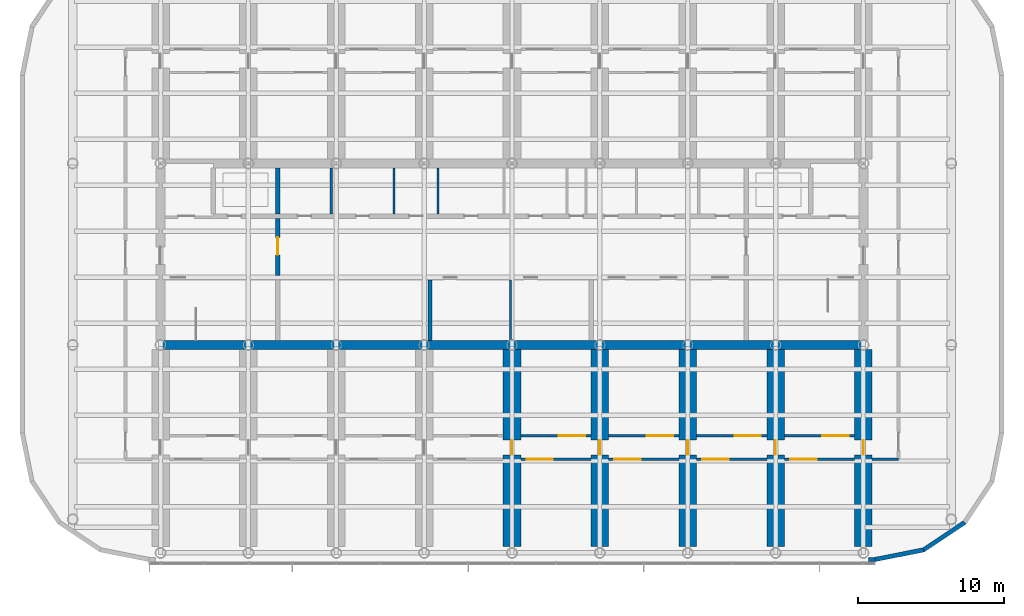
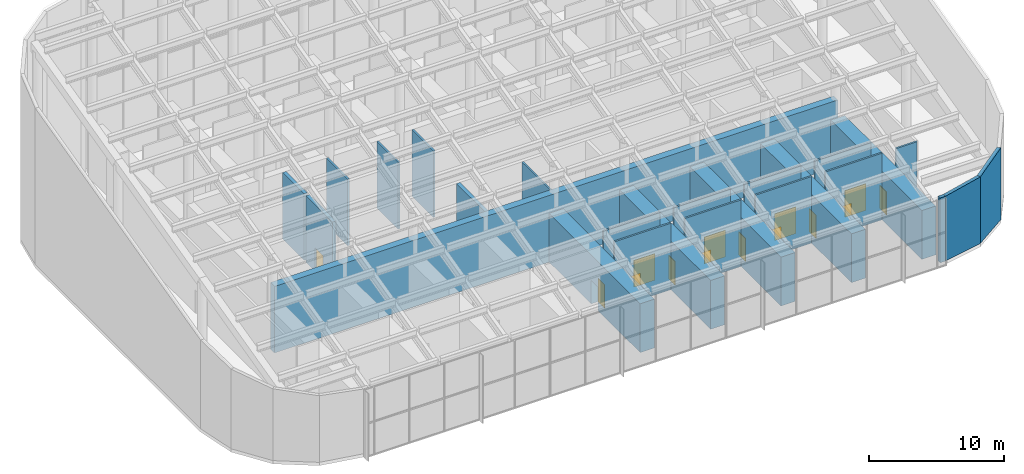
# One storey, part 10 of 14: 25 walls, 14 doors, 14 openings.
"""IFC4 building model written with IfcOpenShell, lengths in metres."""

from ifc_helpers import new_model, si_unit, direction, frame, frame_2d, origin, place, context, subcontext, project, spatial, polyline, rectangle, outline, extrude, clip, halfspace, material, layer, layer_set, type_object, element, fill, save


model = new_model("IFC4")

# Units and contexts
model_context = context("Model", 3, precision=1e-05, world=origin(), true_north=direction((0.0, 1.0)))
body_context = subcontext(model_context, "Body", "Model", "MODEL_VIEW")
ifc_project = project(units=[si_unit("LENGTHUNIT", "METRE"), si_unit("AREAUNIT", "SQUARE_METRE"), si_unit("VOLUMEUNIT", "CUBIC_METRE"), si_unit("PLANEANGLEUNIT", "RADIAN"), si_unit("MASSUNIT", "GRAM", prefix="KILO")], contexts=[model_context])

# Site, building, storey
site_placement = place(None, origin())
site = spatial("IfcSite", under=ifc_project, at=site_placement, CompositionType="ELEMENT")
building_placement = place(site_placement, origin())
building = spatial("IfcBuilding", under=site, at=building_placement, Name="Orbita Commons", CompositionType="ELEMENT")
storey_placement = place(building_placement, frame((0.0, 0.0, 262.300048828125)))
storey = spatial("IfcBuildingStorey", under=building, at=storey_placement, Name="L65", CompositionType="ELEMENT", Elevation=262.300048828125)

# Wall, opening, door
ifc_material_1 = material(Name="Concrete C50/60", Category="concrete")
ifc_layer_1 = layer(ifc_material_1, 0.300048828125)
ifc_layer_set_1 = layer_set([ifc_layer_1], Name="Concrete C50/60")
wall_type_1 = type_object("IfcWallType", Name="Core inner wall 300 C50/60", PredefinedType="SHEAR", material=ifc_layer_set_1)
wall_1_placement = place(storey_placement, frame((26.0, 30.550048828125, 0.0), z_axis=(0.0, 0.0, 1.0), x_axis=(0.0, 1.0, 0.0)))
wall_1 = element("IfcWall", 1, at=wall_1_placement, inside=storey, type_object=wall_type_1, Name="Firefighting lobby wall west L65", PredefinedType="SHEAR", context=body_context, shape_type="SweptSolid", body=[
    extrude(rectangle(XDim=3.89990234375, YDim=0.300048828125, at=frame_2d((1.949951171875, 0.0))), origin(), (0.0, 0.0, 1.0), 6.0),
])
opening_1_placement = place(wall_1_placement, frame((1.39990234375, 0.0, 0.0)))
opening_1 = element("IfcOpeningElement", 2, at=opening_1_placement, cuts=wall_1, Name="Opening D04", PredefinedType="OPENING", context=body_context, shape_type="SweptSolid", body=[
    extrude(rectangle(XDim=1.199951171875, YDim=2.10009765625, at=frame_2d((0.60009765625, 1.050048828125))), frame((0.0, 0.159912109375, 0.0), z_axis=(0.0, -1.0, 0.0), x_axis=(1.0, 0.0, 0.0)), (0.0, 0.0, 1.0), 0.320068359375),
])
ifc_material_2 = material(Name="Steel-faced fire door leaf", Category="steel")
door_type_1 = type_object("IfcDoorType", Name="Service door 20 min 1200x2100", OperationType="SINGLE_SWING_LEFT", PredefinedType="DOOR", material=ifc_material_2)
door_1_placement = place(opening_1_placement, origin())
door_1 = element("IfcDoor", 3, at=door_1_placement, inside=storey, type_object=door_type_1, Name="Lift lobby door west", OperationType="SINGLE_SWING_LEFT", OverallHeight=2.10009765625, OverallWidth=1.199951171875, PredefinedType="DOOR", context=body_context, shape_type="SweptSolid", body=[
    extrude(rectangle(XDim=1.199951171875, YDim=2.10009765625, at=frame_2d((0.60009765625, 1.050048828125))), frame((0.0, 0.02490234375, 0.0), z_axis=(0.0, -1.0, 0.0), x_axis=(1.0, 0.0, 0.0)), (0.0, 0.0, 1.0), 0.050048828125),
])
fill(opening_1, door_1)

# Walls
wall_2_placement = place(storey_placement, frame((26.0, 34.75, 0.0), z_axis=(0.0, 0.0, 1.0), x_axis=(0.0, 1.0, 0.0)))
element("IfcWall", 4, at=wall_2_placement, inside=storey, type_object=wall_type_1, Name="Riser wall west L65", PredefinedType="SHEAR", context=body_context, shape_type="SweptSolid", body=[
    extrude(rectangle(XDim=3.14990234375, YDim=0.300048828125, at=frame_2d((1.574951171875, 0.0))), origin(), (0.0, 0.0, 1.0), 6.0),
])
wall_3_placement = place(storey_placement, frame((36.39990234375, 26.10009765625, 0.0), z_axis=(0.0, 0.0, 1.0), x_axis=(0.0, 1.0, 0.0)))
element("IfcWall", 5, at=wall_3_placement, inside=storey, type_object=wall_type_1, Name="Hoistway division wall L65", PredefinedType="SHEAR", context=body_context, shape_type="SweptSolid", body=[
    extrude(rectangle(XDim=4.14990234375, YDim=0.300048828125, at=frame_2d((2.074951171875, 0.0))), origin(), (0.0, 0.0, 1.0), 6.0),
])
ifc_material_3 = material(Name="Concrete blockwork", Category="masonry")
ifc_layer_2 = layer(ifc_material_3, 0.14990234375)
ifc_layer_set_2 = layer_set([ifc_layer_2], Name="Concrete blockwork")
wall_type_2 = type_object("IfcWallType", Name="Core partition 150 blockwork", PredefinedType="SOLIDWALL", material=ifc_layer_set_2)
for number, where, z_axis, x_axis, name in (
    (6, (29.65087890625, 34.75, 0.0), (0.0, 0.0, 1.0), (0.0, 1.0, 0.0), "Core partition 150 blockwork L65"),
    (7, (33.9462890625, 34.75, 0.0), (0.0, 0.0, 1.0), (0.0, 1.0, 0.0), "Core partition 150 blockwork L65"),
    (8, (36.9462890625, 34.75, 0.0), (0.0, 0.0, 1.0), (0.0, 1.0, 0.0), "Core partition 150 blockwork L65"),
):
    element("IfcWall", number, at=place(storey_placement, frame(where, z_axis=z_axis, x_axis=x_axis)), inside=storey, type_object=wall_type_2, Name=name, PredefinedType="SOLIDWALL", context=body_context, shape_type="SweptSolid", body=[
        extrude(rectangle(XDim=3.14990234375, YDim=0.14990234375, at=frame_2d((1.574951171875, 0.0))), origin(), (0.0, 0.0, 1.0), 6.0),
    ])
wall_4_placement = place(storey_placement, frame((41.89990234375, 26.10009765625, 0.0), z_axis=(0.0, 0.0, 1.0), x_axis=(0.0, 1.0, 0.0)))
element("IfcWall", 9, at=wall_4_placement, inside=storey, type_object=wall_type_2, Name="Core partition 150 blockwork L65", PredefinedType="SOLIDWALL", context=body_context, shape_type="SweptSolid", body=[
    extrude(rectangle(XDim=4.14990234375, YDim=0.14990234375, at=frame_2d((2.074951171875, 0.0))), origin(), (0.0, 0.0, 1.0), 6.0),
])
ifc_material_4 = material(Name="Concrete C50/60", Category="concrete")
ifc_layer_3 = layer(ifc_material_4, 0.60009765625)
ifc_layer_set_3 = layer_set([ifc_layer_3], Name="Concrete C50/60")
wall_type_3 = type_object("IfcWallType", Name="Core wall 600 C50/60", PredefinedType="SHEAR", material=ifc_layer_set_3)
wall_5_placement = place(storey_placement, frame((18.0, 25.800048828125, 0.0), z_axis=(0.0, 0.0, 1.0), x_axis=(1.0, 0.0, 0.0)))
element("IfcWall", 10, at=wall_5_placement, inside=storey, type_object=wall_type_3, Name="Core spine wall south L65", PredefinedType="SHEAR", context=body_context, shape_type="SweptSolid", body=[
    extrude(rectangle(XDim=48.0, YDim=0.60009765625, at=frame_2d((24.0, 0.0))), origin(), (0.0, 0.0, 1.0), 6.0),
])

# Wall, opening, door
ifc_material_5 = material(Name="Concrete C50/60", Category="concrete")
ifc_layer_4 = layer(ifc_material_5, 1.199951171875)
ifc_layer_set_4 = layer_set([ifc_layer_4], Name="Concrete C50/60")
wall_type_4 = type_object("IfcWallType", Name="Outrigger wall 1200 C50/60", PredefinedType="SHEAR", material=ifc_layer_set_4)
wall_6_placement = place(storey_placement, frame((42.0, 12.050048828125, 0.0), z_axis=(0.0, 0.0, 1.0), x_axis=(0.0, 1.0, 0.0)))
wall_6 = element("IfcWall", 11, at=wall_6_placement, inside=storey, type_object=wall_type_4, Name="Outrigger wall 8 south L65", PredefinedType="SHEAR", context=body_context, shape_type="SweptSolid", body=[
    extrude(rectangle(XDim=13.449951171875, YDim=1.199951171875, at=frame_2d((6.72509765625, 0.0))), origin(), (0.0, 0.0, 1.0), 4.39990234375),
])
opening_2_placement = place(wall_6_placement, frame((6.25, 0.0, 0.0)))
opening_2 = element("IfcOpeningElement", 12, at=opening_2_placement, cuts=wall_6, Name="Opening D02", PredefinedType="OPENING", context=body_context, shape_type="SweptSolid", body=[
    extrude(rectangle(XDim=1.0, YDim=2.10009765625, at=frame_2d((0.5, 1.050048828125))), frame((0.0, 0.60986328125, 0.0), z_axis=(0.0, -1.0, 0.0), x_axis=(1.0, 0.0, 0.0)), (0.0, 0.0, 1.0), 1.219970703125),
])
ifc_material_6 = material(Name="Steel-faced fire door leaf", Category="steel")
door_type_2 = type_object("IfcDoorType", Name="Fire door 90 min 1000x2100", OperationType="SINGLE_SWING_LEFT", PredefinedType="DOOR", material=ifc_material_6)
door_2_placement = place(opening_2_placement, origin())
door_2 = element("IfcDoor", 13, at=door_2_placement, inside=storey, type_object=door_type_2, Name="Plant corridor door through outrigger wall", OperationType="SINGLE_SWING_LEFT", OverallHeight=2.10009765625, OverallWidth=1.0, PredefinedType="DOOR", context=body_context, shape_type="SweptSolid", body=[
    extrude(rectangle(XDim=1.0, YDim=2.10009765625, at=frame_2d((0.5, 1.050048828125))), frame((0.0, 0.02490234375, 0.0), z_axis=(0.0, -1.0, 0.0), x_axis=(1.0, 0.0, 0.0)), (0.0, 0.0, 1.0), 0.050048828125),
])
fill(opening_2, door_2)

wall_7_placement = place(storey_placement, frame((48.0, 12.050048828125, 0.0), z_axis=(0.0, 0.0, 1.0), x_axis=(0.0, 1.0, 0.0)))
wall_7 = element("IfcWall", 14, at=wall_7_placement, inside=storey, type_object=wall_type_4, Name="Outrigger wall 9 south L65", PredefinedType="SHEAR", context=body_context, shape_type="SweptSolid", body=[
    extrude(rectangle(XDim=13.449951171875, YDim=1.199951171875, at=frame_2d((6.72509765625, 0.0))), origin(), (0.0, 0.0, 1.0), 4.39990234375),
])
opening_3_placement = place(wall_7_placement, frame((6.25, 0.0, 0.0)))
opening_3 = element("IfcOpeningElement", 15, at=opening_3_placement, cuts=wall_7, Name="Opening D02", PredefinedType="OPENING", context=body_context, shape_type="SweptSolid", body=[
    extrude(rectangle(XDim=1.0, YDim=2.10009765625, at=frame_2d((0.5, 1.050048828125))), frame((0.0, 0.60986328125, 0.0), z_axis=(0.0, -1.0, 0.0), x_axis=(1.0, 0.0, 0.0)), (0.0, 0.0, 1.0), 1.219970703125),
])
door_3_placement = place(opening_3_placement, origin())
door_3 = element("IfcDoor", 16, at=door_3_placement, inside=storey, type_object=door_type_2, Name="Plant corridor door through outrigger wall", OperationType="SINGLE_SWING_LEFT", OverallHeight=2.10009765625, OverallWidth=1.0, PredefinedType="DOOR", context=body_context, shape_type="SweptSolid", body=[
    extrude(rectangle(XDim=1.0, YDim=2.10009765625, at=frame_2d((0.5, 1.050048828125))), frame((0.0, 0.02490234375, 0.0), z_axis=(0.0, -1.0, 0.0), x_axis=(1.0, 0.0, 0.0)), (0.0, 0.0, 1.0), 0.050048828125),
])
fill(opening_3, door_3)

wall_8_placement = place(storey_placement, frame((54.0, 12.050048828125, 0.0), z_axis=(0.0, 0.0, 1.0), x_axis=(0.0, 1.0, 0.0)))
wall_8 = element("IfcWall", 17, at=wall_8_placement, inside=storey, type_object=wall_type_4, Name="Outrigger wall 10 south L65", PredefinedType="SHEAR", context=body_context, shape_type="SweptSolid", body=[
    extrude(rectangle(XDim=13.449951171875, YDim=1.199951171875, at=frame_2d((6.72509765625, 0.0))), origin(), (0.0, 0.0, 1.0), 4.39990234375),
])
opening_4_placement = place(wall_8_placement, frame((6.25, 0.0, 0.0)))
opening_4 = element("IfcOpeningElement", 18, at=opening_4_placement, cuts=wall_8, Name="Opening D02", PredefinedType="OPENING", context=body_context, shape_type="SweptSolid", body=[
    extrude(rectangle(XDim=1.0, YDim=2.10009765625, at=frame_2d((0.5, 1.050048828125))), frame((0.0, 0.60986328125, 0.0), z_axis=(0.0, -1.0, 0.0), x_axis=(1.0, 0.0, 0.0)), (0.0, 0.0, 1.0), 1.219970703125),
])
door_4_placement = place(opening_4_placement, origin())
door_4 = element("IfcDoor", 19, at=door_4_placement, inside=storey, type_object=door_type_2, Name="Plant corridor door through outrigger wall", OperationType="SINGLE_SWING_LEFT", OverallHeight=2.10009765625, OverallWidth=1.0, PredefinedType="DOOR", context=body_context, shape_type="SweptSolid", body=[
    extrude(rectangle(XDim=1.0, YDim=2.10009765625, at=frame_2d((0.5, 1.050048828125))), frame((0.0, 0.02490234375, 0.0), z_axis=(0.0, -1.0, 0.0), x_axis=(1.0, 0.0, 0.0)), (0.0, 0.0, 1.0), 0.050048828125),
])
fill(opening_4, door_4)

wall_9_placement = place(storey_placement, frame((60.0, 12.050048828125, 0.0), z_axis=(0.0, 0.0, 1.0), x_axis=(0.0, 1.0, 0.0)))
wall_9 = element("IfcWall", 20, at=wall_9_placement, inside=storey, type_object=wall_type_4, Name="Outrigger wall 11 south L65", PredefinedType="SHEAR", context=body_context, shape_type="SweptSolid", body=[
    extrude(rectangle(XDim=13.449951171875, YDim=1.199951171875, at=frame_2d((6.72509765625, 0.0))), origin(), (0.0, 0.0, 1.0), 4.39990234375),
])
opening_5_placement = place(wall_9_placement, frame((6.25, 0.0, 0.0)))
opening_5 = element("IfcOpeningElement", 21, at=opening_5_placement, cuts=wall_9, Name="Opening D02", PredefinedType="OPENING", context=body_context, shape_type="SweptSolid", body=[
    extrude(rectangle(XDim=1.0, YDim=2.10009765625, at=frame_2d((0.5, 1.050048828125))), frame((0.0, 0.60986328125, 0.0), z_axis=(0.0, -1.0, 0.0), x_axis=(1.0, 0.0, 0.0)), (0.0, 0.0, 1.0), 1.219970703125),
])
door_5_placement = place(opening_5_placement, origin())
door_5 = element("IfcDoor", 22, at=door_5_placement, inside=storey, type_object=door_type_2, Name="Plant corridor door through outrigger wall", OperationType="SINGLE_SWING_LEFT", OverallHeight=2.10009765625, OverallWidth=1.0, PredefinedType="DOOR", context=body_context, shape_type="SweptSolid", body=[
    extrude(rectangle(XDim=1.0, YDim=2.10009765625, at=frame_2d((0.5, 1.050048828125))), frame((0.0, 0.02490234375, 0.0), z_axis=(0.0, -1.0, 0.0), x_axis=(1.0, 0.0, 0.0)), (0.0, 0.0, 1.0), 0.050048828125),
])
fill(opening_5, door_5)

wall_10_placement = place(storey_placement, frame((66.0, 12.050048828125, 0.0), z_axis=(0.0, 0.0, 1.0), x_axis=(0.0, 1.0, 0.0)))
wall_10 = element("IfcWall", 23, at=wall_10_placement, inside=storey, type_object=wall_type_4, Name="Outrigger wall 12 south L65", PredefinedType="SHEAR", context=body_context, shape_type="SweptSolid", body=[
    extrude(rectangle(XDim=13.449951171875, YDim=1.199951171875, at=frame_2d((6.72509765625, 0.0))), origin(), (0.0, 0.0, 1.0), 4.39990234375),
])
opening_6_placement = place(wall_10_placement, frame((6.25, 0.0, 0.0)))
opening_6 = element("IfcOpeningElement", 24, at=opening_6_placement, cuts=wall_10, Name="Opening D02", PredefinedType="OPENING", context=body_context, shape_type="SweptSolid", body=[
    extrude(rectangle(XDim=1.0, YDim=2.10009765625, at=frame_2d((0.5, 1.050048828125))), frame((0.0, 0.60986328125, 0.0), z_axis=(0.0, -1.0, 0.0), x_axis=(1.0, 0.0, 0.0)), (0.0, 0.0, 1.0), 1.219970703125),
])
door_6_placement = place(opening_6_placement, origin())
door_6 = element("IfcDoor", 25, at=door_6_placement, inside=storey, type_object=door_type_2, Name="Plant corridor door through outrigger wall", OperationType="SINGLE_SWING_LEFT", OverallHeight=2.10009765625, OverallWidth=1.0, PredefinedType="DOOR", context=body_context, shape_type="SweptSolid", body=[
    extrude(rectangle(XDim=1.0, YDim=2.10009765625, at=frame_2d((0.5, 1.050048828125))), frame((0.0, 0.02490234375, 0.0), z_axis=(0.0, -1.0, 0.0), x_axis=(1.0, 0.0, 0.0)), (0.0, 0.0, 1.0), 0.050048828125),
])
fill(opening_6, door_6)

# Wall
ifc_material_7 = material(Name="Gypsum plasterboard on steel studs", Category="steel")
ifc_layer_5 = layer(ifc_material_7, 0.14990234375)
ifc_layer_set_5 = layer_set([ifc_layer_5], Name="Gypsum plasterboard on steel studs")
wall_type_5 = type_object("IfcWallType", Name="Partition 150 plasterboard", PredefinedType="PARTITIONING", material=ifc_layer_set_5)
wall_11_placement = place(storey_placement, frame((66.60009765625, 18.0, 0.0), z_axis=(0.0, 0.0, 1.0), x_axis=(1.0, 0.0, 0.0)))
element("IfcWall", 26, at=wall_11_placement, inside=storey, type_object=wall_type_5, Name="Partition 150 plasterboard L65", PredefinedType="PARTITIONING", context=body_context, shape_type="SweptSolid", body=[
    extrude(rectangle(XDim=1.7998046875, YDim=0.14990234375, at=frame_2d((0.89990234375, 0.0))), origin(), (0.0, 0.0, 1.0), 6.0),
])

# Wall, opening, door
wall_12_placement = place(storey_placement, frame((42.60009765625, 18.0, 0.0), z_axis=(0.0, 0.0, 1.0), x_axis=(1.0, 0.0, 0.0)))
wall_12 = element("IfcWall", 27, at=wall_12_placement, inside=storey, type_object=wall_type_5, Name="Partition 150 plasterboard L65", PredefinedType="PARTITIONING", context=body_context, shape_type="SweptSolid", body=[
    extrude(rectangle(XDim=4.7998046875, YDim=0.14990234375, at=frame_2d((2.39990234375, 0.0))), origin(), (0.0, 0.0, 1.0), 6.0),
])
opening_7_placement = place(wall_12_placement, frame((0.39990234375, 0.0, 0.0)))
opening_7 = element("IfcOpeningElement", 28, at=opening_7_placement, cuts=wall_12, Name="Opening D14", PredefinedType="OPENING", context=body_context, shape_type="SweptSolid", body=[
    extrude(rectangle(XDim=1.800048828125, YDim=2.39990234375, at=frame_2d((0.89990234375, 1.199951171875))), frame((0.0, 0.0849609375, 0.0), z_axis=(0.0, -1.0, 0.0), x_axis=(1.0, 0.0, 0.0)), (0.0, 0.0, 1.0), 0.169921875),
])
ifc_material_8 = material(Name="Steel-faced fire door leaf", Category="steel")
door_type_3 = type_object("IfcDoorType", Name="Double fire door 90 min 1800x2400", OperationType="DOUBLE_DOOR_SINGLE_SWING", PredefinedType="DOOR", material=ifc_material_8)
door_7_placement = place(opening_7_placement, origin())
door_7 = element("IfcDoor", 29, at=door_7_placement, inside=storey, type_object=door_type_3, Name="Heat exchanger room doors", OperationType="DOUBLE_DOOR_SINGLE_SWING", OverallHeight=2.39990234375, OverallWidth=1.800048828125, PredefinedType="DOOR", context=body_context, shape_type="SweptSolid", body=[
    extrude(rectangle(XDim=1.800048828125, YDim=2.39990234375, at=frame_2d((0.89990234375, 1.199951171875))), frame((0.0, 0.02490234375, 0.0), z_axis=(0.0, -1.0, 0.0), x_axis=(1.0, 0.0, 0.0)), (0.0, 0.0, 1.0), 0.050048828125),
])
fill(opening_7, door_7)

wall_13_placement = place(storey_placement, frame((42.60009765625, 19.60009765625, 0.0), z_axis=(0.0, 0.0, 1.0), x_axis=(1.0, 0.0, 0.0)))
wall_13 = element("IfcWall", 30, at=wall_13_placement, inside=storey, type_object=wall_type_5, Name="Partition 150 plasterboard L65", PredefinedType="PARTITIONING", context=body_context, shape_type="SweptSolid", body=[
    extrude(rectangle(XDim=4.7998046875, YDim=0.14990234375, at=frame_2d((2.39990234375, 0.0))), origin(), (0.0, 0.0, 1.0), 6.0),
])
opening_8_placement = place(wall_13_placement, frame((2.60009765625, 0.0, 0.0)))
opening_8 = element("IfcOpeningElement", 31, at=opening_8_placement, cuts=wall_13, Name="Opening D14", PredefinedType="OPENING", context=body_context, shape_type="SweptSolid", body=[
    extrude(rectangle(XDim=1.800048828125, YDim=2.39990234375, at=frame_2d((0.89990234375, 1.199951171875))), frame((0.0, 0.0849609375, 0.0), z_axis=(0.0, -1.0, 0.0), x_axis=(1.0, 0.0, 0.0)), (0.0, 0.0, 1.0), 0.169921875),
])
door_8_placement = place(opening_8_placement, origin())
door_8 = element("IfcDoor", 32, at=door_8_placement, inside=storey, type_object=door_type_3, Name="Water treatment room doors", OperationType="DOUBLE_DOOR_SINGLE_SWING", OverallHeight=2.39990234375, OverallWidth=1.800048828125, PredefinedType="DOOR", context=body_context, shape_type="SweptSolid", body=[
    extrude(rectangle(XDim=1.800048828125, YDim=2.39990234375, at=frame_2d((0.89990234375, 1.199951171875))), frame((0.0, 0.02490234375, 0.0), z_axis=(0.0, -1.0, 0.0), x_axis=(1.0, 0.0, 0.0)), (0.0, 0.0, 1.0), 0.050048828125),
])
fill(opening_8, door_8)

wall_14_placement = place(storey_placement, frame((48.60009765625, 18.0, 0.0), z_axis=(0.0, 0.0, 1.0), x_axis=(1.0, 0.0, 0.0)))
wall_14 = element("IfcWall", 33, at=wall_14_placement, inside=storey, type_object=wall_type_5, Name="Partition 150 plasterboard L65", PredefinedType="PARTITIONING", context=body_context, shape_type="SweptSolid", body=[
    extrude(rectangle(XDim=4.7998046875, YDim=0.14990234375, at=frame_2d((2.39990234375, 0.0))), origin(), (0.0, 0.0, 1.0), 6.0),
])
opening_9_placement = place(wall_14_placement, frame((0.39990234375, 0.0, 0.0)))
opening_9 = element("IfcOpeningElement", 34, at=opening_9_placement, cuts=wall_14, Name="Opening D14", PredefinedType="OPENING", context=body_context, shape_type="SweptSolid", body=[
    extrude(rectangle(XDim=1.800048828125, YDim=2.39990234375, at=frame_2d((0.89990234375, 1.199951171875))), frame((0.0, 0.0849609375, 0.0), z_axis=(0.0, -1.0, 0.0), x_axis=(1.0, 0.0, 0.0)), (0.0, 0.0, 1.0), 0.169921875),
])
door_9_placement = place(opening_9_placement, origin())
door_9 = element("IfcDoor", 35, at=door_9_placement, inside=storey, type_object=door_type_3, Name="Fire water tank room doors", OperationType="DOUBLE_DOOR_SINGLE_SWING", OverallHeight=2.39990234375, OverallWidth=1.800048828125, PredefinedType="DOOR", context=body_context, shape_type="SweptSolid", body=[
    extrude(rectangle(XDim=1.800048828125, YDim=2.39990234375, at=frame_2d((0.89990234375, 1.199951171875))), frame((0.0, 0.02490234375, 0.0), z_axis=(0.0, -1.0, 0.0), x_axis=(1.0, 0.0, 0.0)), (0.0, 0.0, 1.0), 0.050048828125),
])
fill(opening_9, door_9)

wall_15_placement = place(storey_placement, frame((48.60009765625, 19.60009765625, 0.0), z_axis=(0.0, 0.0, 1.0), x_axis=(1.0, 0.0, 0.0)))
wall_15 = element("IfcWall", 36, at=wall_15_placement, inside=storey, type_object=wall_type_5, Name="Partition 150 plasterboard L65", PredefinedType="PARTITIONING", context=body_context, shape_type="SweptSolid", body=[
    extrude(rectangle(XDim=4.7998046875, YDim=0.14990234375, at=frame_2d((2.39990234375, 0.0))), origin(), (0.0, 0.0, 1.0), 6.0),
])
opening_10_placement = place(wall_15_placement, frame((2.60009765625, 0.0, 0.0)))
opening_10 = element("IfcOpeningElement", 37, at=opening_10_placement, cuts=wall_15, Name="Opening D14", PredefinedType="OPENING", context=body_context, shape_type="SweptSolid", body=[
    extrude(rectangle(XDim=1.800048828125, YDim=2.39990234375, at=frame_2d((0.89990234375, 1.199951171875))), frame((0.0, 0.0849609375, 0.0), z_axis=(0.0, -1.0, 0.0), x_axis=(1.0, 0.0, 0.0)), (0.0, 0.0, 1.0), 0.169921875),
])
door_10_placement = place(opening_10_placement, origin())
door_10 = element("IfcDoor", 38, at=door_10_placement, inside=storey, type_object=door_type_3, Name="Filter store doors", OperationType="DOUBLE_DOOR_SINGLE_SWING", OverallHeight=2.39990234375, OverallWidth=1.800048828125, PredefinedType="DOOR", context=body_context, shape_type="SweptSolid", body=[
    extrude(rectangle(XDim=1.800048828125, YDim=2.39990234375, at=frame_2d((0.89990234375, 1.199951171875))), frame((0.0, 0.02490234375, 0.0), z_axis=(0.0, -1.0, 0.0), x_axis=(1.0, 0.0, 0.0)), (0.0, 0.0, 1.0), 0.050048828125),
])
fill(opening_10, door_10)

wall_16_placement = place(storey_placement, frame((54.60009765625, 18.0, 0.0), z_axis=(0.0, 0.0, 1.0), x_axis=(1.0, 0.0, 0.0)))
wall_16 = element("IfcWall", 39, at=wall_16_placement, inside=storey, type_object=wall_type_5, Name="Partition 150 plasterboard L65", PredefinedType="PARTITIONING", context=body_context, shape_type="SweptSolid", body=[
    extrude(rectangle(XDim=4.7998046875, YDim=0.14990234375, at=frame_2d((2.39990234375, 0.0))), origin(), (0.0, 0.0, 1.0), 6.0),
])
opening_11_placement = place(wall_16_placement, frame((0.39990234375, 0.0, 0.0)))
opening_11 = element("IfcOpeningElement", 40, at=opening_11_placement, cuts=wall_16, Name="Opening D14", PredefinedType="OPENING", context=body_context, shape_type="SweptSolid", body=[
    extrude(rectangle(XDim=1.800048828125, YDim=2.39990234375, at=frame_2d((0.89990234375, 1.199951171875))), frame((0.0, 0.0849609375, 0.0), z_axis=(0.0, -1.0, 0.0), x_axis=(1.0, 0.0, 0.0)), (0.0, 0.0, 1.0), 0.169921875),
])
door_11_placement = place(opening_11_placement, origin())
door_11 = element("IfcDoor", 41, at=door_11_placement, inside=storey, type_object=door_type_3, Name="Smoke extract fan room doors", OperationType="DOUBLE_DOOR_SINGLE_SWING", OverallHeight=2.39990234375, OverallWidth=1.800048828125, PredefinedType="DOOR", context=body_context, shape_type="SweptSolid", body=[
    extrude(rectangle(XDim=1.800048828125, YDim=2.39990234375, at=frame_2d((0.89990234375, 1.199951171875))), frame((0.0, 0.02490234375, 0.0), z_axis=(0.0, -1.0, 0.0), x_axis=(1.0, 0.0, 0.0)), (0.0, 0.0, 1.0), 0.050048828125),
])
fill(opening_11, door_11)

wall_17_placement = place(storey_placement, frame((54.60009765625, 19.60009765625, 0.0), z_axis=(0.0, 0.0, 1.0), x_axis=(1.0, 0.0, 0.0)))
wall_17 = element("IfcWall", 42, at=wall_17_placement, inside=storey, type_object=wall_type_5, Name="Partition 150 plasterboard L65", PredefinedType="PARTITIONING", context=body_context, shape_type="SweptSolid", body=[
    extrude(rectangle(XDim=4.7998046875, YDim=0.14990234375, at=frame_2d((2.39990234375, 0.0))), origin(), (0.0, 0.0, 1.0), 6.0),
])
opening_12_placement = place(wall_17_placement, frame((2.60009765625, 0.0, 0.0)))
opening_12 = element("IfcOpeningElement", 43, at=opening_12_placement, cuts=wall_17, Name="Opening D14", PredefinedType="OPENING", context=body_context, shape_type="SweptSolid", body=[
    extrude(rectangle(XDim=1.800048828125, YDim=2.39990234375, at=frame_2d((0.89990234375, 1.199951171875))), frame((0.0, 0.0849609375, 0.0), z_axis=(0.0, -1.0, 0.0), x_axis=(1.0, 0.0, 0.0)), (0.0, 0.0, 1.0), 0.169921875),
])
door_12_placement = place(opening_12_placement, origin())
door_12 = element("IfcDoor", 44, at=door_12_placement, inside=storey, type_object=door_type_3, Name="Fan control room doors", OperationType="DOUBLE_DOOR_SINGLE_SWING", OverallHeight=2.39990234375, OverallWidth=1.800048828125, PredefinedType="DOOR", context=body_context, shape_type="SweptSolid", body=[
    extrude(rectangle(XDim=1.800048828125, YDim=2.39990234375, at=frame_2d((0.89990234375, 1.199951171875))), frame((0.0, 0.02490234375, 0.0), z_axis=(0.0, -1.0, 0.0), x_axis=(1.0, 0.0, 0.0)), (0.0, 0.0, 1.0), 0.050048828125),
])
fill(opening_12, door_12)

wall_18_placement = place(storey_placement, frame((60.60009765625, 18.0, 0.0), z_axis=(0.0, 0.0, 1.0), x_axis=(1.0, 0.0, 0.0)))
wall_18 = element("IfcWall", 45, at=wall_18_placement, inside=storey, type_object=wall_type_5, Name="Partition 150 plasterboard L65", PredefinedType="PARTITIONING", context=body_context, shape_type="SweptSolid", body=[
    extrude(rectangle(XDim=4.7998046875, YDim=0.14990234375, at=frame_2d((2.39990234375, 0.0))), origin(), (0.0, 0.0, 1.0), 6.0),
])
opening_13_placement = place(wall_18_placement, frame((0.39990234375, 0.0, 0.0)))
opening_13 = element("IfcOpeningElement", 46, at=opening_13_placement, cuts=wall_18, Name="Opening D14", PredefinedType="OPENING", context=body_context, shape_type="SweptSolid", body=[
    extrude(rectangle(XDim=1.800048828125, YDim=2.39990234375, at=frame_2d((0.89990234375, 1.199951171875))), frame((0.0, 0.0849609375, 0.0), z_axis=(0.0, -1.0, 0.0), x_axis=(1.0, 0.0, 0.0)), (0.0, 0.0, 1.0), 0.169921875),
])
door_13_placement = place(opening_13_placement, origin())
door_13 = element("IfcDoor", 47, at=door_13_placement, inside=storey, type_object=door_type_3, Name="Electrical plant room doors", OperationType="DOUBLE_DOOR_SINGLE_SWING", OverallHeight=2.39990234375, OverallWidth=1.800048828125, PredefinedType="DOOR", context=body_context, shape_type="SweptSolid", body=[
    extrude(rectangle(XDim=1.800048828125, YDim=2.39990234375, at=frame_2d((0.89990234375, 1.199951171875))), frame((0.0, 0.02490234375, 0.0), z_axis=(0.0, -1.0, 0.0), x_axis=(1.0, 0.0, 0.0)), (0.0, 0.0, 1.0), 0.050048828125),
])
fill(opening_13, door_13)

wall_19_placement = place(storey_placement, frame((60.60009765625, 19.60009765625, 0.0), z_axis=(0.0, 0.0, 1.0), x_axis=(1.0, 0.0, 0.0)))
wall_19 = element("IfcWall", 48, at=wall_19_placement, inside=storey, type_object=wall_type_5, Name="Partition 150 plasterboard L65", PredefinedType="PARTITIONING", context=body_context, shape_type="SweptSolid", body=[
    extrude(rectangle(XDim=4.7998046875, YDim=0.14990234375, at=frame_2d((2.39990234375, 0.0))), origin(), (0.0, 0.0, 1.0), 6.0),
])
opening_14_placement = place(wall_19_placement, frame((2.60009765625, 0.0, 0.0)))
opening_14 = element("IfcOpeningElement", 49, at=opening_14_placement, cuts=wall_19, Name="Opening D14", PredefinedType="OPENING", context=body_context, shape_type="SweptSolid", body=[
    extrude(rectangle(XDim=1.800048828125, YDim=2.39990234375, at=frame_2d((0.89990234375, 1.199951171875))), frame((0.0, 0.0849609375, 0.0), z_axis=(0.0, -1.0, 0.0), x_axis=(1.0, 0.0, 0.0)), (0.0, 0.0, 1.0), 0.169921875),
])
door_14_placement = place(opening_14_placement, origin())
door_14 = element("IfcDoor", 50, at=door_14_placement, inside=storey, type_object=door_type_3, Name="Switch room doors", OperationType="DOUBLE_DOOR_SINGLE_SWING", OverallHeight=2.39990234375, OverallWidth=1.800048828125, PredefinedType="DOOR", context=body_context, shape_type="SweptSolid", body=[
    extrude(rectangle(XDim=1.800048828125, YDim=2.39990234375, at=frame_2d((0.89990234375, 1.199951171875))), frame((0.0, 0.02490234375, 0.0), z_axis=(0.0, -1.0, 0.0), x_axis=(1.0, 0.0, 0.0)), (0.0, 0.0, 1.0), 0.050048828125),
])
fill(opening_14, door_14)

# Walls
ifc_material_9 = material(Name="Precast concrete C40/50, white board-marked finish", Category="concrete")
ifc_layer_6 = layer(ifc_material_9, 0.300048828125)
ifc_layer_set_6 = layer_set([ifc_layer_6], Name="Precast concrete C40/50, white board-marked finish")
wall_type_6 = type_object("IfcWallType", Name="Precast concrete end shield 300", PredefinedType="SOLIDWALL", material=ifc_layer_set_6)
wall_20_placement = place(storey_placement, frame((66.800048828125, 11.14990234375, 0.0), z_axis=(0.0, 0.0, 1.0), x_axis=(0.98078325777, 0.195100490205, 0.0)))
element("IfcWall", 51, at=wall_20_placement, inside=storey, type_object=wall_type_6, Name="End shield SE chord 1 L65", PredefinedType="SOLIDWALL", context=body_context, shape_type="Clipping", body=[
    clip(clip(extrude(outline(polyline([(-0.039794921875, 0.0), (3.414794921875, 0.0), (3.414794921875, 6.00341796875), (-0.039794921875, 5.83544921875), (-0.039794921875, 0.0)])), frame((0.0, 0.14990234375, 0.0), z_axis=(0.0, -1.0, 0.0), x_axis=(1.0, 0.0, 0.0)), (0.0, 0.0, 1.0), 0.300048828125), halfspace(frame((0.0, 0.0, 0.0), z_axis=(-0.980785349348, 0.195089975409, 0.0)), False)), halfspace(frame((3.375, 0.0, 0.0), z_axis=(0.980785349348, 0.195089975409, 0.0)), False)),
])
wall_21_placement = place(storey_placement, frame((70.110107421875, 11.808349609375, 0.0), z_axis=(0.0, 0.0, 1.0), x_axis=(0.831460037396, 0.555584562613, 0.0)))
element("IfcWall", 52, at=wall_21_placement, inside=storey, type_object=wall_type_6, Name="End shield SE chord 2 L65", PredefinedType="SOLIDWALL", context=body_context, shape_type="Clipping", body=[
    clip(clip(extrude(outline(polyline([(-0.039794921875, 0.0), (3.4150390625, 0.0), (3.4150390625, 6.474609375), (3.375, 6.468994140625), (-0.039794921875, 5.995849609375), (-0.039794921875, 0.0)])), frame((0.0, 0.14990234375, 0.0), z_axis=(0.0, -1.0, 0.0), x_axis=(1.0, 0.0, 0.0)), (0.0, 0.0, 1.0), 0.300048828125), halfspace(frame((0.0, 0.0, 0.0), z_axis=(-0.980785349348, 0.195089975409, 0.0)), False)), halfspace(frame((3.375244140625, 0.0, 0.0), z_axis=(0.980785349348, 0.195089975409, 0.0)), False)),
])
wall_22_placement = place(storey_placement, frame((66.800048828125, 11.14990234375, 0.0), z_axis=(0.0, 0.0, 1.0), x_axis=(-1.0, 0.0, 0.0)))
element("IfcWall", 53, at=wall_22_placement, inside=storey, type_object=wall_type_6, Name="End shield SE closer L65", PredefinedType="SOLIDWALL", context=body_context, shape_type="SweptSolid", body=[
    extrude(outline(polyline([(0.0, 0.0), (0.444580078125, 0.0), (0.444580078125, 5.83740234375), (0.0, 5.83740234375), (0.0, 0.0)])), frame((0.0, 0.14990234375, 0.0), z_axis=(0.0, -1.0, 0.0), x_axis=(1.0, 0.0, 0.0)), (0.0, 0.0, 1.0), 0.300048828125),
])

save(model, "model.ifc")
